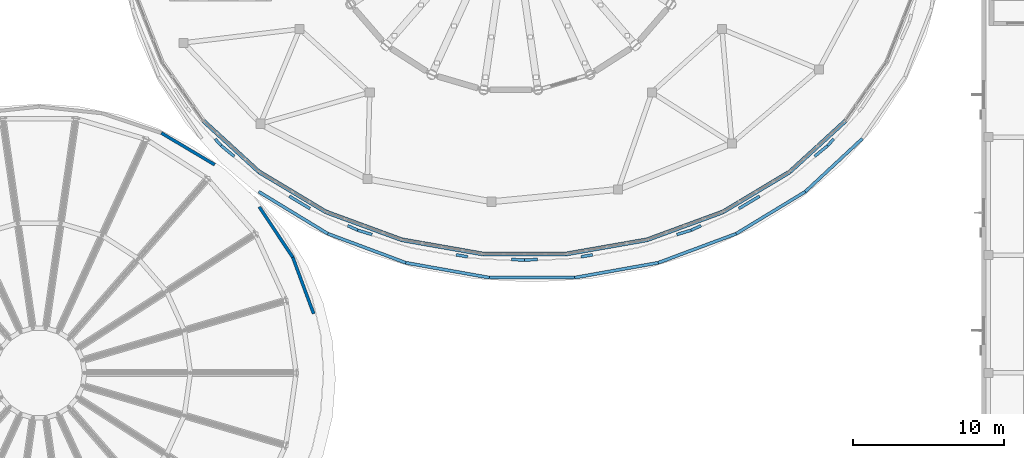
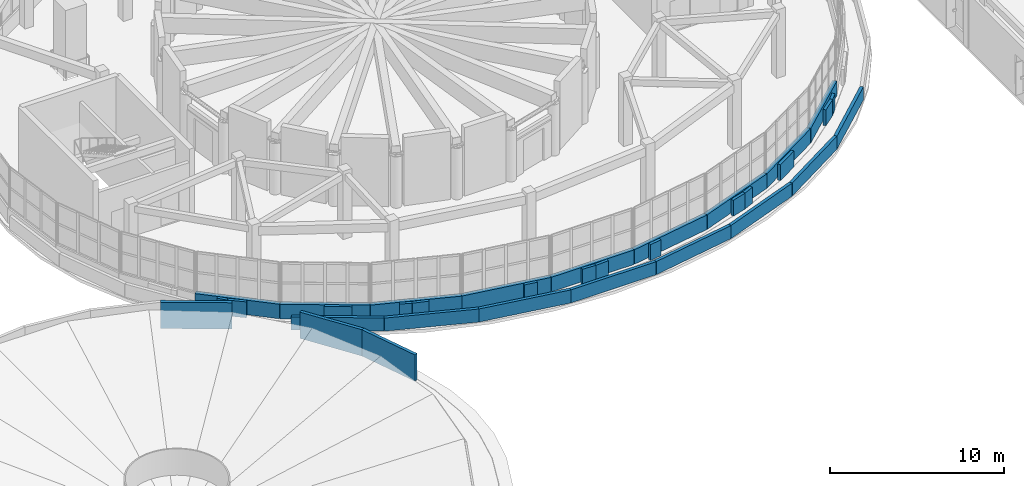
# One storey, part 57 of 69: 34 walls.
"""IFC4 building model written with IfcOpenShell, lengths in metres."""

from ifc_helpers import new_model, si_unit, direction, frame, frame_2d, origin, place, context, subcontext, project, spatial, rectangle, extrude, material, layer, layer_set, type_object, element, save


model = new_model("IFC4")

# Units and contexts
model_context = context("Model", 3, precision=1e-05, world=origin(), true_north=direction((0.0, 1.0)))
body_context = subcontext(model_context, "Body", "Model", "MODEL_VIEW")
ifc_project = project(units=[si_unit("LENGTHUNIT", "METRE"), si_unit("AREAUNIT", "SQUARE_METRE"), si_unit("VOLUMEUNIT", "CUBIC_METRE"), si_unit("PLANEANGLEUNIT", "RADIAN"), si_unit("MASSUNIT", "GRAM", prefix="KILO")], contexts=[model_context])

# Site, building, storey
site_placement = place(None, origin())
site = spatial("IfcSite", under=ifc_project, at=site_placement, CompositionType="ELEMENT")
building_placement = place(site_placement, origin())
building = spatial("IfcBuilding", under=site, at=building_placement, Name="Pelvatis Terrace Science Centre", CompositionType="ELEMENT")
storey_placement = place(building_placement, frame((0.0, 0.0, 15.0)))
storey = spatial("IfcBuildingStorey", under=building, at=storey_placement, Name="L03", CompositionType="ELEMENT", Elevation=15.0)

# Walls
ifc_material_1 = material(Name="White architectural precast concrete C40/50 spandrel", Category="concrete")
ifc_layer_1 = layer(ifc_material_1, 0.27490234375)
ifc_layer_set_1 = layer_set([ifc_layer_1], Name="White architectural precast concrete C40/50 spandrel")
wall_type_1 = type_object("IfcWallType", Name="WL-EXT-SPND-275", PredefinedType="SOLIDWALL", material=ifc_layer_set_1)
wall_1_placement = place(storey_placement, frame((88.86328125, 71.2744140625, 0.0), z_axis=(0.0, 0.0, 1.0), x_axis=(0.737412540924, -0.675442628569, 0.0)))
element("IfcWall", 1, at=wall_1_placement, inside=storey, type_object=wall_type_1, Name="V1 white spiral spandrel band 19 (L03)", PredefinedType="SOLIDWALL", context=body_context, shape_type="SweptSolid", body=[
    extrude(rectangle(XDim=4.979736328125, YDim=0.27490234375, at=frame_2d((2.48974609375, 0.0))), origin(), (0.0, 0.0, 1.0), 1.02001953125),
])
wall_2_placement = place(storey_placement, frame((92.535400390625, 67.910888671875, 0.0), z_axis=(0.0, 0.0, 1.0), x_axis=(0.85778413156, -0.514010100721, 0.0)))
element("IfcWall", 2, at=wall_2_placement, inside=storey, type_object=wall_type_1, Name="V1 white spiral spandrel band 20 (L03)", PredefinedType="SOLIDWALL", context=body_context, shape_type="SweptSolid", body=[
    extrude(rectangle(XDim=5.17578125, YDim=0.27490234375, at=frame_2d((2.587890625, 0.0))), origin(), (0.0, 0.0, 1.0), 1.02001953125),
])
wall_3_placement = place(storey_placement, frame((96.97509765625, 65.25048828125, 0.0), z_axis=(0.0, 0.0, 1.0), x_axis=(0.938715650926, -0.344692510372, 0.0)))
element("IfcWall", 3, at=wall_3_placement, inside=storey, type_object=wall_type_1, Name="V1 white spiral spandrel band 21 (L03)", PredefinedType="SOLIDWALL", context=body_context, shape_type="SweptSolid", body=[
    extrude(rectangle(XDim=5.340576171875, YDim=0.27490234375, at=frame_2d((2.67041015625, 0.0))), origin(), (0.0, 0.0, 1.0), 1.02001953125),
])
wall_4_placement = place(storey_placement, frame((101.98828125, 63.40966796875, 0.0), z_axis=(0.0, 0.0, 1.0), x_axis=(0.98497507761, -0.172696544512, 0.0)))
element("IfcWall", 4, at=wall_4_placement, inside=storey, type_object=wall_type_1, Name="V1 white spiral spandrel band 22 (L03)", PredefinedType="SOLIDWALL", context=body_context, shape_type="SweptSolid", body=[
    extrude(rectangle(XDim=5.44970703125, YDim=0.27490234375, at=frame_2d((2.724853515625, 0.0))), origin(), (0.0, 0.0, 1.0), 1.02001953125),
])
wall_5_placement = place(storey_placement, frame((107.356201171875, 62.468505859375, 0.0), z_axis=(0.0, 0.0, 1.0), x_axis=(1.0, 0.0, 0.0)))
element("IfcWall", 5, at=wall_5_placement, inside=storey, type_object=wall_type_1, Name="V1 white spiral spandrel band 23 (L03)", PredefinedType="SOLIDWALL", context=body_context, shape_type="SweptSolid", body=[
    extrude(rectangle(XDim=5.48779296875, YDim=0.27490234375, at=frame_2d((2.743896484375, 0.0))), origin(), (0.0, 0.0, 1.0), 1.02001953125),
])
wall_6_placement = place(storey_placement, frame((112.843994140625, 62.468505859375, 0.0), z_axis=(0.0, 0.0, 1.0), x_axis=(0.98497374146, 0.172704165075, 0.0)))
element("IfcWall", 6, at=wall_6_placement, inside=storey, type_object=wall_type_1, Name="V1 white spiral spandrel band 24 (L03)", PredefinedType="SOLIDWALL", context=body_context, shape_type="SweptSolid", body=[
    extrude(rectangle(XDim=5.449462890625, YDim=0.27490234375, at=frame_2d((2.724609375, 0.0))), origin(), (0.0, 0.0, 1.0), 1.02001953125),
])
wall_7_placement = place(storey_placement, frame((118.211669921875, 63.40966796875, 0.0), z_axis=(0.0, 0.0, 1.0), x_axis=(0.938721082132, 0.344677718981, 0.0)))
element("IfcWall", 7, at=wall_7_placement, inside=storey, type_object=wall_type_1, Name="V1 white spiral spandrel band 25 (L03)", PredefinedType="SOLIDWALL", context=body_context, shape_type="SweptSolid", body=[
    extrude(rectangle(XDim=5.3408203125, YDim=0.27490234375, at=frame_2d((2.67041015625, 0.0))), origin(), (0.0, 0.0, 1.0), 1.02001953125),
])
wall_8_placement = place(storey_placement, frame((123.22509765625, 65.25048828125, 0.0), z_axis=(0.0, 0.0, 1.0), x_axis=(0.85778413156, 0.514010100721, 0.0)))
element("IfcWall", 8, at=wall_8_placement, inside=storey, type_object=wall_type_1, Name="V1 white spiral spandrel band 26 (L03)", PredefinedType="SOLIDWALL", context=body_context, shape_type="SweptSolid", body=[
    extrude(rectangle(XDim=5.17578125, YDim=0.27490234375, at=frame_2d((2.587890625, 0.0))), origin(), (0.0, 0.0, 1.0), 1.02001953125),
])
wall_9_placement = place(storey_placement, frame((127.664794921875, 67.910888671875, 0.0), z_axis=(0.0, 0.0, 1.0), x_axis=(0.737390172556, 0.675467048358, 0.0)))
element("IfcWall", 9, at=wall_9_placement, inside=storey, type_object=wall_type_1, Name="V1 white spiral spandrel band 27 (L03)", PredefinedType="SOLIDWALL", context=body_context, shape_type="SweptSolid", body=[
    extrude(rectangle(XDim=4.9794921875, YDim=0.27490234375, at=frame_2d((2.48974609375, 0.0))), origin(), (0.0, 0.0, 1.0), 1.02001953125),
])
ifc_material_2 = material(Name="White architectural precast concrete C40/50 spandrel parapet", Category="concrete")
ifc_layer_2 = layer(ifc_material_2, 0.18994140625)
ifc_layer_set_2 = layer_set([ifc_layer_2], Name="White architectural precast concrete C40/50 spandrel parapet")
wall_type_2 = type_object("IfcWallType", Name="WL-PAR-190", PredefinedType="PARAPET", material=ifc_layer_set_2)
wall_10_placement = place(storey_placement, frame((130.56591796875, 70.08349609375, 0.0), z_axis=(0.0, 0.0, 1.0), x_axis=(-0.671199650785, -0.741276620963, 0.0)))
element("IfcWall", 10, at=wall_10_placement, inside=storey, type_object=wall_type_2, Name="Perimeter edge closure parapet PW-EDG-L03-364", PredefinedType="PARAPET", context=body_context, shape_type="SweptSolid", body=[
    extrude(rectangle(XDim=0.602783203125, YDim=0.18994140625, at=frame_2d((0.30126953125, 0.0))), origin(), (0.0, 0.0, 1.0), 1.1201171875),
])
wall_11_placement = place(storey_placement, frame((130.161376953125, 69.63671875, 0.0), z_axis=(0.0, 0.0, 1.0), x_axis=(-0.770512947106, -0.637424347152, 0.0)))
element("IfcWall", 11, at=wall_11_placement, inside=storey, type_object=wall_type_2, Name="Perimeter edge closure parapet PW-EDG-L03-365", PredefinedType="PARAPET", context=body_context, shape_type="SweptSolid", body=[
    extrude(rectangle(XDim=1.115234375, YDim=0.18994140625, at=frame_2d((0.5576171875, 0.0))), origin(), (0.0, 0.0, 1.0), 1.1201171875),
])
wall_12_placement = place(storey_placement, frame((125.658935546875, 66.292236328125, 0.0), z_axis=(0.0, 0.0, 1.0), x_axis=(-0.857816677477, -0.513955783938, 0.0)))
element("IfcWall", 12, at=wall_12_placement, inside=storey, type_object=wall_type_2, Name="Perimeter edge closure parapet PW-EDG-L03-366", PredefinedType="PARAPET", context=body_context, shape_type="SweptSolid", body=[
    extrude(rectangle(XDim=1.59619140625, YDim=0.18994140625, at=frame_2d((0.798095703125, 0.0))), origin(), (0.0, 0.0, 1.0), 1.1201171875),
])
wall_13_placement = place(storey_placement, frame((121.7880859375, 64.342041015625, 0.0), z_axis=(0.0, 0.0, 1.0), x_axis=(-0.911346101508, -0.411640964028, 0.0)))
element("IfcWall", 13, at=wall_13_placement, inside=storey, type_object=wall_type_2, Name="Perimeter edge closure parapet PW-EDG-L03-367", PredefinedType="PARAPET", context=body_context, shape_type="SweptSolid", body=[
    extrude(rectangle(XDim=0.7236328125, YDim=0.18994140625, at=frame_2d((0.36181640625, 0.0))), origin(), (0.0, 0.0, 1.0), 1.1201171875),
])
wall_14_placement = place(storey_placement, frame((121.128662109375, 64.044189453125, 0.0), z_axis=(0.0, 0.0, 1.0), x_axis=(-0.955587003419, -0.29470914288, 0.0)))
element("IfcWall", 14, at=wall_14_placement, inside=storey, type_object=wall_type_2, Name="Perimeter edge closure parapet PW-EDG-L03-368", PredefinedType="PARAPET", context=body_context, shape_type="SweptSolid", body=[
    extrude(rectangle(XDim=0.99072265625, YDim=0.18994140625, at=frame_2d((0.495361328125, 0.0))), origin(), (0.0, 0.0, 1.0), 1.1201171875),
])
wall_15_placement = place(storey_placement, frame((114.619384765625, 62.4169921875, 0.0), z_axis=(0.0, 0.0, 1.0), x_axis=(-0.984940246253, -0.172895087587, 0.0)))
element("IfcWall", 15, at=wall_15_placement, inside=storey, type_object=wall_type_2, Name="Perimeter edge closure parapet PW-EDG-L03-369", PredefinedType="PARAPET", context=body_context, shape_type="SweptSolid", body=[
    extrude(rectangle(XDim=0.7822265625, YDim=0.18994140625, at=frame_2d((0.39111328125, 0.0))), origin(), (0.0, 0.0, 1.0), 1.1201171875),
])
wall_16_placement = place(storey_placement, frame((110.962158203125, 62.111083984375, 0.0), z_axis=(0.0, 0.0, 1.0), x_axis=(-0.998252859545, -0.059086617855, 0.0)))
element("IfcWall", 16, at=wall_16_placement, inside=storey, type_object=wall_type_2, Name="Perimeter edge closure parapet PW-EDG-L03-370", PredefinedType="PARAPET", context=body_context, shape_type="SweptSolid", body=[
    extrude(rectangle(XDim=0.863525390625, YDim=0.18994140625, at=frame_2d((0.431640625, 0.0))), origin(), (0.0, 0.0, 1.0), 1.1201171875),
])
wall_17_placement = place(storey_placement, frame((110.10009765625, 62.06005859375, 0.0), z_axis=(0.0, 0.0, 1.0), x_axis=(-0.998253846137, 0.059069947294, 0.0)))
element("IfcWall", 17, at=wall_17_placement, inside=storey, type_object=wall_type_2, Name="Perimeter edge closure parapet PW-EDG-L03-371", PredefinedType="PARAPET", context=body_context, shape_type="SweptSolid", body=[
    extrude(rectangle(XDim=0.86376953125, YDim=0.18994140625, at=frame_2d((0.431884765625, 0.0))), origin(), (0.0, 0.0, 1.0), 1.1201171875),
])
wall_18_placement = place(storey_placement, frame((106.35107421875, 62.28173828125, 0.0), z_axis=(0.0, 0.0, 1.0), x_axis=(-0.984930912883, 0.172948249045, 0.0)))
element("IfcWall", 18, at=wall_18_placement, inside=storey, type_object=wall_type_2, Name="Perimeter edge closure parapet PW-EDG-L03-372", PredefinedType="PARAPET", context=body_context, shape_type="SweptSolid", body=[
    extrude(rectangle(XDim=0.781982421875, YDim=0.18994140625, at=frame_2d((0.39111328125, 0.0))), origin(), (0.0, 0.0, 1.0), 1.1201171875),
])
wall_19_placement = place(storey_placement, frame((100.018310546875, 63.752197265625, 0.0), z_axis=(0.0, 0.0, 1.0), x_axis=(-0.95560839763, 0.294639763745, 0.0)))
element("IfcWall", 19, at=wall_19_placement, inside=storey, type_object=wall_type_2, Name="Perimeter edge closure parapet PW-EDG-L03-373", PredefinedType="PARAPET", context=body_context, shape_type="SweptSolid", body=[
    extrude(rectangle(XDim=0.990966796875, YDim=0.18994140625, at=frame_2d((0.49560546875, 0.0))), origin(), (0.0, 0.0, 1.0), 1.1201171875),
])
wall_20_placement = place(storey_placement, frame((99.0712890625, 64.044189453125, 0.0), z_axis=(0.0, 0.0, 1.0), x_axis=(-0.911288901475, 0.411767577704, 0.0)))
element("IfcWall", 20, at=wall_20_placement, inside=storey, type_object=wall_type_2, Name="Perimeter edge closure parapet PW-EDG-L03-374", PredefinedType="PARAPET", context=body_context, shape_type="SweptSolid", body=[
    extrude(rectangle(XDim=0.723388671875, YDim=0.18994140625, at=frame_2d((0.36181640625, 0.0))), origin(), (0.0, 0.0, 1.0), 1.1201171875),
])
wall_21_placement = place(storey_placement, frame((95.91015625, 65.471923828125, 0.0), z_axis=(0.0, 0.0, 1.0), x_axis=(-0.857816677477, 0.513955783938, 0.0)))
element("IfcWall", 21, at=wall_21_placement, inside=storey, type_object=wall_type_2, Name="Perimeter edge closure parapet PW-EDG-L03-375", PredefinedType="PARAPET", context=body_context, shape_type="SweptSolid", body=[
    extrude(rectangle(XDim=1.59619140625, YDim=0.18994140625, at=frame_2d((0.798095703125, 0.0))), origin(), (0.0, 0.0, 1.0), 1.1201171875),
])
wall_22_placement = place(storey_placement, frame((90.89794921875, 68.92578125, 0.0), z_axis=(0.0, 0.0, 1.0), x_axis=(-0.770423985124, 0.637531868338, 0.0)))
element("IfcWall", 22, at=wall_22_placement, inside=storey, type_object=wall_type_2, Name="Perimeter edge closure parapet PW-EDG-L03-376", PredefinedType="PARAPET", context=body_context, shape_type="SweptSolid", body=[
    extrude(rectangle(XDim=1.115234375, YDim=0.18994140625, at=frame_2d((0.5576171875, 0.0))), origin(), (0.0, 0.0, 1.0), 1.1201171875),
])
wall_23_placement = place(storey_placement, frame((90.038818359375, 69.63671875, 0.0), z_axis=(0.0, 0.0, 1.0), x_axis=(-0.671199650785, 0.741276620963, 0.0)))
element("IfcWall", 23, at=wall_23_placement, inside=storey, type_object=wall_type_2, Name="Perimeter edge closure parapet PW-EDG-L03-377", PredefinedType="PARAPET", context=body_context, shape_type="SweptSolid", body=[
    extrude(rectangle(XDim=0.602783203125, YDim=0.18994140625, at=frame_2d((0.30126953125, 0.0))), origin(), (0.0, 0.0, 1.0), 1.1201171875),
])
ifc_material_3 = material(Name="White architectural precast concrete C40/50 spandrel parapet", Category="concrete")
ifc_layer_3 = layer(ifc_material_3, 0.205078125)
ifc_layer_set_3 = layer_set([ifc_layer_3], Name="White architectural precast concrete C40/50 spandrel parapet")
wall_type_3 = type_object("IfcWallType", Name="WL-PAR-205", PredefinedType="PARAPET", material=ifc_layer_set_3)
wall_24_placement = place(storey_placement, frame((96.1533203125, 58.520751953125, 0.0), z_axis=(0.0, 0.0, 1.0), x_axis=(-0.346881793686, 0.937908855491, 0.0)))
element("IfcWall", 24, at=wall_24_placement, inside=storey, type_object=wall_type_3, Name="White spiral ring parapet PW-CRV-L03-061", PredefinedType="PARAPET", context=body_context, shape_type="SweptSolid", body=[
    extrude(rectangle(XDim=3.970947265625, YDim=0.205078125, at=frame_2d((1.9853515625, 0.0))), origin(), (0.0, 0.0, 1.0), 1.85009765625),
])
wall_25_placement = place(storey_placement, frame((94.77587890625, 62.2451171875, 0.0), z_axis=(0.0, 0.0, 1.0), x_axis=(-0.55315382922, 0.833079132627, 0.0)))
element("IfcWall", 25, at=wall_25_placement, inside=storey, type_object=wall_type_3, Name="White spiral ring parapet PW-CRV-L03-062", PredefinedType="PARAPET", context=body_context, shape_type="SweptSolid", body=[
    extrude(rectangle(XDim=4.01025390625, YDim=0.205078125, at=frame_2d((2.005126953125, 0.0))), origin(), (0.0, 0.0, 1.0), 1.85009765625),
])
wall_26_placement = place(storey_placement, frame((89.609375, 68.3759765625, 0.0), z_axis=(0.0, 0.0, 1.0), x_axis=(-0.859547178973, 0.511056403071, 0.0)))
element("IfcWall", 26, at=wall_26_placement, inside=storey, type_object=wall_type_3, Name="White spiral ring parapet PW-CRV-L03-063", PredefinedType="PARAPET", context=body_context, shape_type="SweptSolid", body=[
    extrude(rectangle(XDim=4.107421875, YDim=0.205078125, at=frame_2d((2.0537109375, 0.0))), origin(), (0.0, 0.0, 1.0), 1.85009765625),
])
wall_27_placement = place(storey_placement, frame((92.52001953125, 66.590087890625, 0.0), z_axis=(0.0, 0.0, 1.0), x_axis=(0.854384471103, -0.519641391287, 0.0)))
element("IfcWall", 27, at=wall_27_placement, inside=storey, type_object=wall_type_3, Name="White spiral ring parapet PW-CRV-L03-086", PredefinedType="PARAPET", context=body_context, shape_type="SweptSolid", body=[
    extrude(rectangle(XDim=5.348876953125, YDim=0.205078125, at=frame_2d((2.67431640625, 0.0))), origin(), (0.0, 0.0, 1.0), 0.919921875),
])
wall_28_placement = place(storey_placement, frame((97.090087890625, 63.810546875, 0.0), z_axis=(0.0, 0.0, 1.0), x_axis=(0.93703234102, -0.349242597462, 0.0)))
element("IfcWall", 28, at=wall_28_placement, inside=storey, type_object=wall_type_3, Name="White spiral ring parapet PW-CRV-L03-087", PredefinedType="PARAPET", context=body_context, shape_type="SweptSolid", body=[
    extrude(rectangle(XDim=5.507080078125, YDim=0.205078125, at=frame_2d((2.75341796875, 0.0))), origin(), (0.0, 0.0, 1.0), 0.919921875),
])
wall_29_placement = place(storey_placement, frame((102.25048828125, 61.88720703125, 0.0), z_axis=(0.0, 0.0, 1.0), x_axis=(0.9845271685, -0.175232001888, 0.0)))
element("IfcWall", 29, at=wall_29_placement, inside=storey, type_object=wall_type_3, Name="White spiral ring parapet PW-CRV-L03-088", PredefinedType="PARAPET", context=body_context, shape_type="SweptSolid", body=[
    extrude(rectangle(XDim=5.612060546875, YDim=0.205078125, at=frame_2d((2.80615234375, 0.0))), origin(), (0.0, 0.0, 1.0), 0.919921875),
])
wall_30_placement = place(storey_placement, frame((107.775634765625, 60.90380859375, 0.0), z_axis=(0.0, 0.0, 1.0), x_axis=(1.0, 0.0, 0.0)))
element("IfcWall", 30, at=wall_30_placement, inside=storey, type_object=wall_type_3, Name="White spiral ring parapet PW-CRV-L03-089", PredefinedType="PARAPET", context=body_context, shape_type="SweptSolid", body=[
    extrude(rectangle(XDim=5.648681640625, YDim=0.205078125, at=frame_2d((2.82421875, 0.0))), origin(), (0.0, 0.0, 1.0), 0.919921875),
])
wall_31_placement = place(storey_placement, frame((113.42431640625, 60.90380859375, 0.0), z_axis=(0.0, 0.0, 1.0), x_axis=(0.984528504243, 0.175224496955, 0.0)))
element("IfcWall", 31, at=wall_31_placement, inside=storey, type_object=wall_type_3, Name="White spiral ring parapet PW-CRV-L03-090", PredefinedType="PARAPET", context=body_context, shape_type="SweptSolid", body=[
    extrude(rectangle(XDim=5.6123046875, YDim=0.205078125, at=frame_2d((2.80615234375, 0.0))), origin(), (0.0, 0.0, 1.0), 0.919921875),
])
wall_32_placement = place(storey_placement, frame((118.94970703125, 61.88720703125, 0.0), z_axis=(0.0, 0.0, 1.0), x_axis=(0.93703234102, 0.349242597462, 0.0)))
element("IfcWall", 32, at=wall_32_placement, inside=storey, type_object=wall_type_3, Name="White spiral ring parapet PW-CRV-L03-091", PredefinedType="PARAPET", context=body_context, shape_type="SweptSolid", body=[
    extrude(rectangle(XDim=5.507080078125, YDim=0.205078125, at=frame_2d((2.75341796875, 0.0))), origin(), (0.0, 0.0, 1.0), 0.919921875),
])
wall_33_placement = place(storey_placement, frame((124.110107421875, 63.810546875, 0.0), z_axis=(0.0, 0.0, 1.0), x_axis=(0.85437214563, 0.519661656053, 0.0)))
element("IfcWall", 33, at=wall_33_placement, inside=storey, type_object=wall_type_3, Name="White spiral ring parapet PW-CRV-L03-092", PredefinedType="PARAPET", context=body_context, shape_type="SweptSolid", body=[
    extrude(rectangle(XDim=5.3486328125, YDim=0.205078125, at=frame_2d((2.67431640625, 0.0))), origin(), (0.0, 0.0, 1.0), 0.919921875),
])
wall_34_placement = place(storey_placement, frame((128.679931640625, 66.590087890625, 0.0), z_axis=(0.0, 0.0, 1.0), x_axis=(0.732372144551, 0.680904576196, 0.0)))
element("IfcWall", 34, at=wall_34_placement, inside=storey, type_object=wall_type_3, Name="White spiral ring parapet PW-CRV-L03-093", PredefinedType="PARAPET", context=body_context, shape_type="SweptSolid", body=[
    extrude(rectangle(XDim=5.1611328125, YDim=0.205078125, at=frame_2d((2.58056640625, 0.0))), origin(), (0.0, 0.0, 1.0), 0.919921875),
])

save(model, "model.ifc")
